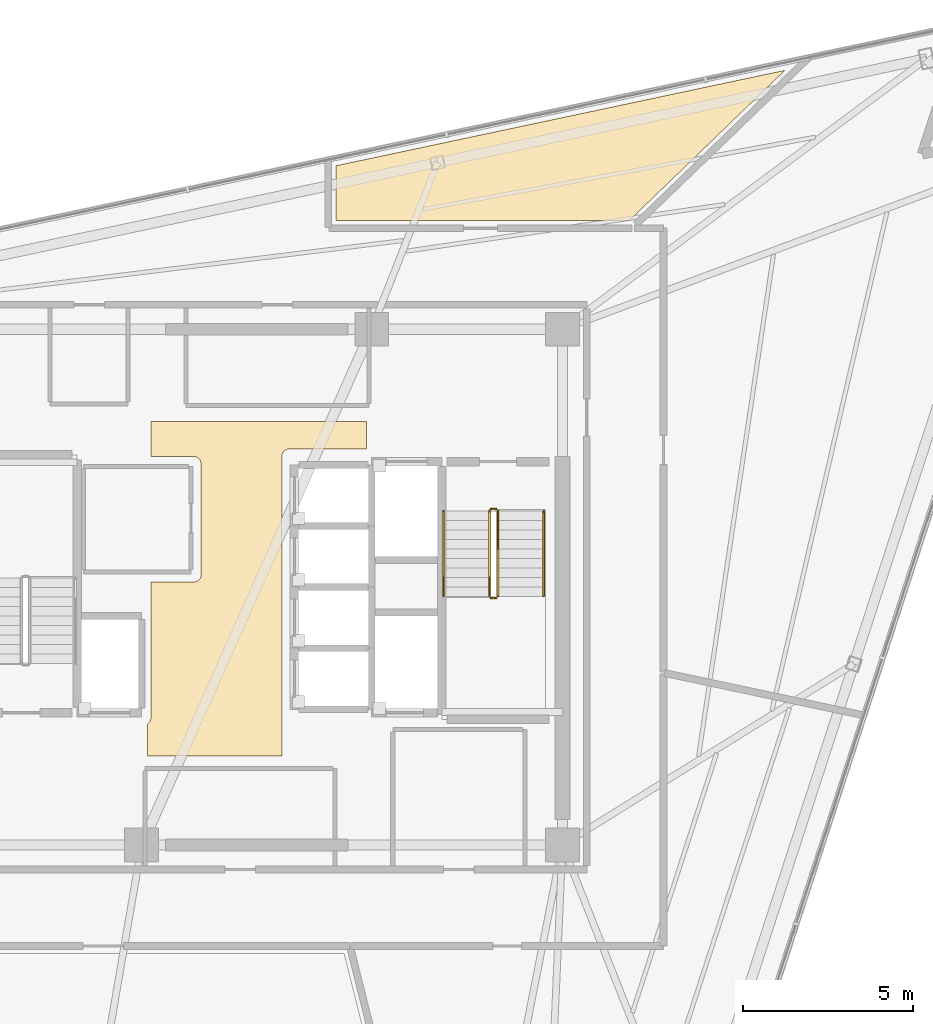
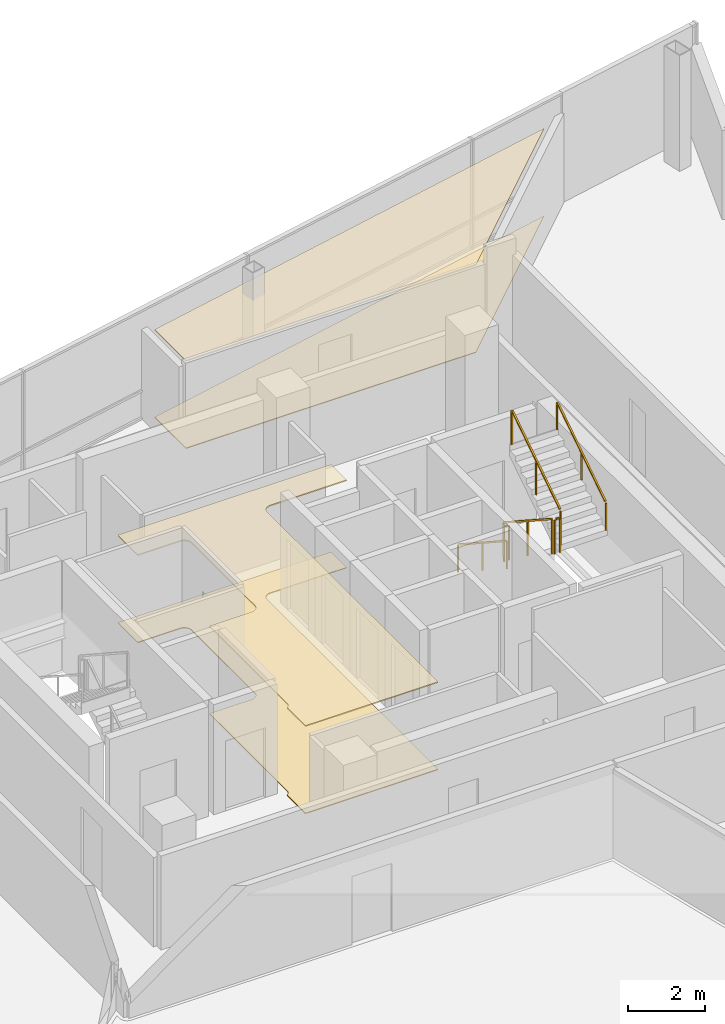
# One storey, part 15 of 15: 6 railings, 4 coverings.
"""IFC4 building model written with IfcOpenShell, lengths in metres."""

from ifc_helpers import new_model, si_unit, direction, frame, origin, origin_2d, place, context, subcontext, project, spatial, polyline, rectangle, outline, extrude, material, layer, layer_set, type_object, element, save


model = new_model("IFC4")

# Units and contexts
model_context = context("Model", 3, precision=1e-05, world=origin(), true_north=direction((0.0, 1.0)))
body_context = subcontext(model_context, "Body", "Model", "MODEL_VIEW")
ifc_project = project(units=[si_unit("LENGTHUNIT", "METRE"), si_unit("AREAUNIT", "SQUARE_METRE"), si_unit("VOLUMEUNIT", "CUBIC_METRE"), si_unit("PLANEANGLEUNIT", "RADIAN"), si_unit("MASSUNIT", "GRAM", prefix="KILO")], contexts=[model_context])

# Site, building, storey
site_placement = place(None, origin())
site = spatial("IfcSite", under=ifc_project, at=site_placement, CompositionType="ELEMENT")
building_placement = place(site_placement, origin())
building = spatial("IfcBuilding", under=site, at=building_placement, Name="Tharavind Bronze Gate", CompositionType="ELEMENT")
storey_placement = place(building_placement, frame((0.0, 0.0, 290.699951171875)))
storey = spatial("IfcBuildingStorey", under=building, at=storey_placement, Name="L75", CompositionType="ELEMENT", Elevation=290.699951171875)

# Coverings
ifc_material_1 = material(Name="Perforated Bronze Acoustic Panel", Category="bronze")
ifc_layer_1 = layer(ifc_material_1, 0.044921875)
ifc_layer_set_1 = layer_set([ifc_layer_1], Name="Perforated Bronze Acoustic Panel")
covering_type_1 = type_object("IfcCoveringType", Name="ACOUSTIC BRONZE BAFFLE CEILING", PredefinedType="CEILING", material=ifc_layer_set_1)
covering_1_placement = place(storey_placement, frame((0.0, 0.0, 2.75)))
element("IfcCovering", 1, at=covering_1_placement, inside=storey, type_object=covering_type_1, Name="L75-C-LL suspended ceiling", PredefinedType="CEILING", context=body_context, shape_type="SweptSolid", body=[
    extrude(outline(polyline([(-3.330078125, -4.97998046875), (0.6298828125, -4.97998046875), (0.6298828125, 3.85009765625), (0.631103515625, 3.87158203125), (0.63427734375, 3.892822265625), (0.639404296875, 3.913818359375), (0.646728515625, 3.93408203125), (0.656005859375, 3.95361328125), (0.6669921875, 3.97216796875), (0.679931640625, 3.989501953125), (0.6943359375, 4.005615234375), (0.71044921875, 4.02001953125), (0.727783203125, 4.032958984375), (0.746337890625, 4.0439453125), (0.765869140625, 4.05322265625), (0.7861328125, 4.060546875), (0.80712890625, 4.06591796875), (0.828369140625, 4.06884765625), (0.85009765625, 4.070068359375), (3.1298828125, 4.070068359375), (3.1298828125, 4.8798828125), (-3.22998046875, 4.8798828125), (-3.22998046875, 3.85009765625), (-1.969970703125, 3.85009765625), (-1.948486328125, 3.848876953125), (-1.927001953125, 3.845703125), (-1.906005859375, 3.840576171875), (-1.8857421875, 3.833251953125), (-1.8662109375, 3.823974609375), (-1.847900390625, 3.81298828125), (-1.830322265625, 3.800048828125), (-1.814453125, 3.78564453125), (-1.7998046875, 3.76953125), (-1.787109375, 3.752197265625), (-1.77587890625, 3.733642578125), (-1.7666015625, 3.714111328125), (-1.759521484375, 3.69384765625), (-1.754150390625, 3.6728515625), (-1.751220703125, 3.651611328125), (-1.75, 3.6298828125), (-1.75, 0.3701171875), (-1.751220703125, 0.348388671875), (-1.754150390625, 0.3271484375), (-1.759521484375, 0.30615234375), (-1.7666015625, 0.285888671875), (-1.77587890625, 0.266357421875), (-1.787109375, 0.247802734375), (-1.7998046875, 0.23046875), (-1.814453125, 0.21435546875), (-1.830322265625, 0.199951171875), (-1.847900390625, 0.18701171875), (-1.8662109375, 0.176025390625), (-1.8857421875, 0.166748046875), (-1.906005859375, 0.159423828125), (-1.927001953125, 0.154296875), (-1.948486328125, 0.151123046875), (-1.969970703125, 0.14990234375), (-3.22998046875, 0.14990234375), (-3.22998046875, -3.85009765625), (-3.231201171875, -3.87158203125), (-3.234130859375, -3.892822265625), (-3.239501953125, -3.913818359375), (-3.24658203125, -3.93408203125), (-3.256103515625, -3.95361328125), (-3.26708984375, -3.97216796875), (-3.27978515625, -3.989501953125), (-3.29443359375, -4.005615234375), (-3.310302734375, -4.02001953125), (-3.327880859375, -4.032958984375), (-3.330078125, -4.0341796875), (-3.330078125, -4.97998046875)])), origin(), (0.0, 0.0, 1.0), 0.03515625),
])
ifc_material_2 = material(Name="Engineered Oak & Carpet Tile", Category="wood")
ifc_layer_2 = layer(ifc_material_2, 0.02490234375)
ifc_layer_set_2 = layer_set([ifc_layer_2], Name="Engineered Oak & Carpet Tile")
covering_type_2 = type_object("IfcCoveringType", Name="ENGINEERED TIMBER FLOORING", PredefinedType="FLOORING", material=ifc_layer_set_2)
covering_2_placement = place(storey_placement, origin())
element("IfcCovering", 2, at=covering_2_placement, inside=storey, type_object=covering_type_2, Name="L75-RM-01 floor finish", PredefinedType="FLOORING", context=body_context, shape_type="SweptSolid", body=[
    extrude(outline(polyline([(10.866943359375, 10.800048828125), (15.455810546875, 15.231201171875), (2.219970703125, 12.41796875), (2.219970703125, 10.800048828125), (10.866943359375, 10.800048828125)])), origin(), (0.0, 0.0, 1.0), 0.025146484375),
])
ifc_material_3 = material(Name="Acoustic Gypsum Board", Category="gypsum")
ifc_layer_3 = layer(ifc_material_3, 0.030029296875)
ifc_layer_set_3 = layer_set([ifc_layer_3], Name="Acoustic Gypsum Board")
covering_type_3 = type_object("IfcCoveringType", Name="GYPSUM SUSPENDED CEILING", PredefinedType="CEILING", material=ifc_layer_set_3)
covering_3_placement = place(storey_placement, frame((0.0, 0.0, 2.75)))
element("IfcCovering", 3, at=covering_3_placement, inside=storey, type_object=covering_type_3, Name="L75-RM-01 suspended ceiling", PredefinedType="CEILING", context=body_context, shape_type="SweptSolid", body=[
    extrude(outline(polyline([(10.866943359375, 10.800048828125), (15.455810546875, 15.231201171875), (2.219970703125, 12.41796875), (2.219970703125, 10.800048828125), (10.866943359375, 10.800048828125)])), origin(), (0.0, 0.0, 1.0), 0.03515625),
])
ifc_material_4 = material(Name="Honed Travertine Limestone", Category="masonry")
ifc_layer_4 = layer(ifc_material_4, 0.030029296875)
ifc_layer_set_4 = layer_set([ifc_layer_4], Name="Honed Travertine Limestone")
covering_type_4 = type_object("IfcCoveringType", Name="HONED LIMESTONE FLOORING", PredefinedType="FLOORING", material=ifc_layer_set_4)
covering_4_placement = place(storey_placement, origin())
element("IfcCovering", 4, at=covering_4_placement, inside=storey, type_object=covering_type_4, Name="L75-C-LL floor finish", PredefinedType="FLOORING", context=body_context, shape_type="SweptSolid", body=[
    extrude(outline(polyline([(-3.330078125, -4.97998046875), (0.6298828125, -4.97998046875), (0.6298828125, 3.85009765625), (0.631103515625, 3.87158203125), (0.63427734375, 3.892822265625), (0.639404296875, 3.913818359375), (0.646728515625, 3.93408203125), (0.656005859375, 3.95361328125), (0.6669921875, 3.97216796875), (0.679931640625, 3.989501953125), (0.6943359375, 4.005615234375), (0.71044921875, 4.02001953125), (0.727783203125, 4.032958984375), (0.746337890625, 4.0439453125), (0.765869140625, 4.05322265625), (0.7861328125, 4.060546875), (0.80712890625, 4.06591796875), (0.828369140625, 4.06884765625), (0.85009765625, 4.070068359375), (3.1298828125, 4.070068359375), (3.1298828125, 4.8798828125), (-3.22998046875, 4.8798828125), (-3.22998046875, 3.85009765625), (-1.969970703125, 3.85009765625), (-1.948486328125, 3.848876953125), (-1.927001953125, 3.845703125), (-1.906005859375, 3.840576171875), (-1.8857421875, 3.833251953125), (-1.8662109375, 3.823974609375), (-1.847900390625, 3.81298828125), (-1.830322265625, 3.800048828125), (-1.814453125, 3.78564453125), (-1.7998046875, 3.76953125), (-1.787109375, 3.752197265625), (-1.77587890625, 3.733642578125), (-1.7666015625, 3.714111328125), (-1.759521484375, 3.69384765625), (-1.754150390625, 3.6728515625), (-1.751220703125, 3.651611328125), (-1.75, 3.6298828125), (-1.75, 0.3701171875), (-1.751220703125, 0.348388671875), (-1.754150390625, 0.3271484375), (-1.759521484375, 0.30615234375), (-1.7666015625, 0.285888671875), (-1.77587890625, 0.266357421875), (-1.787109375, 0.247802734375), (-1.7998046875, 0.23046875), (-1.814453125, 0.21435546875), (-1.830322265625, 0.199951171875), (-1.847900390625, 0.18701171875), (-1.8662109375, 0.176025390625), (-1.8857421875, 0.166748046875), (-1.906005859375, 0.159423828125), (-1.927001953125, 0.154296875), (-1.948486328125, 0.151123046875), (-1.969970703125, 0.14990234375), (-3.22998046875, 0.14990234375), (-3.22998046875, -3.85009765625), (-3.231201171875, -3.87158203125), (-3.234130859375, -3.892822265625), (-3.239501953125, -3.913818359375), (-3.24658203125, -3.93408203125), (-3.256103515625, -3.95361328125), (-3.26708984375, -3.97216796875), (-3.27978515625, -3.989501953125), (-3.29443359375, -4.005615234375), (-3.310302734375, -4.02001953125), (-3.327880859375, -4.032958984375), (-3.330078125, -4.0341796875), (-3.330078125, -4.97998046875)])), origin(), (0.0, 0.0, 1.0), 0.025146484375),
])

# Railings
ifc_material_5 = material(Name="Brushed Bronze Alloy", Category="metal")
railing_type_1 = type_object("IfcRailingType", Name="STAIR BRONZE HANDRAIL 900", PredefinedType="HANDRAIL", material=ifc_material_5)
railing_1_placement = place(storey_placement, frame((5.39990234375, 2.25, 0.1826171875)))
element("IfcRailing", 5, at=railing_1_placement, inside=storey, type_object=railing_type_1, Name="L75 ST2 stair handrail 1", PredefinedType="HANDRAIL", context=body_context, shape_type="SweptSolid", body=[
    extrude(rectangle(XDim=0.048095703125, YDim=0.048095703125, at=origin_2d()), frame((0.0, -0.02685546875, 0.893310546875), z_axis=(0.0, -0.837786554691, 0.545997883492), x_axis=(1.0, 0.0, 0.0)), (0.0, 0.0, 1.0), 2.94384765625),
    extrude(rectangle(XDim=0.0400390625, YDim=0.0400390625, at=origin_2d()), origin(), (0.0, 0.0, 1.0), 0.847900390625),
    extrude(rectangle(XDim=0.0400390625, YDim=0.0400390625, at=origin_2d()), frame((0.0, -1.260009765625, 0.8212890625)), (0.0, 0.0, 1.0), 0.847900390625),
    extrude(rectangle(XDim=0.0400390625, YDim=0.0400390625, at=origin_2d()), frame((0.0, -2.52001953125, 1.642333984375)), (0.0, 0.0, 1.0), 0.847900390625),
])
railing_2_placement = place(storey_placement, frame((8.35009765625, -0.27001953125, 2.007568359375)))
element("IfcRailing", 6, at=railing_2_placement, inside=storey, type_object=railing_type_1, Name="L75 ST2 stair handrail 2", PredefinedType="HANDRAIL", context=body_context, shape_type="SweptSolid", body=[
    extrude(rectangle(XDim=0.048095703125, YDim=0.048095703125, at=origin_2d()), frame((0.0, 0.02685546875, 0.893310546875), z_axis=(0.0, 0.837749427056, 0.546054848405), x_axis=(-1.0, 0.0, 0.0)), (0.0, 0.0, 1.0), 2.944091796875),
    extrude(rectangle(XDim=0.0400390625, YDim=0.0400390625, at=origin_2d()), origin(), (0.0, 0.0, 1.0), 0.847900390625),
    extrude(rectangle(XDim=0.0400390625, YDim=0.0400390625, at=origin_2d()), frame((0.0, 1.260009765625, 0.8212890625)), (0.0, 0.0, 1.0), 0.847900390625),
    extrude(rectangle(XDim=0.0400390625, YDim=0.0400390625, at=origin_2d()), frame((0.0, 2.52001953125, 1.642578125)), (0.0, 0.0, 1.0), 0.847900390625),
])
railing_type_2 = type_object("IfcRailingType", Name="STAIR WELL GUARD RAILING 1120", PredefinedType="GUARDRAIL", material=ifc_material_5)
railing_3_placement = place(storey_placement, frame((6.75, 2.25, 0.1826171875)))
element("IfcRailing", 7, at=railing_3_placement, inside=storey, type_object=railing_type_2, Name="L75 ST2 stair guard 1", PredefinedType="GUARDRAIL", context=body_context, shape_type="SweptSolid", body=[
    extrude(rectangle(XDim=0.048095703125, YDim=0.048095703125, at=origin_2d()), frame((0.0, -0.02685546875, 1.113525390625), z_axis=(0.0, -0.837786554691, 0.545997883492), x_axis=(1.0, 0.0, 0.0)), (0.0, 0.0, 1.0), 2.94384765625),
    extrude(rectangle(XDim=0.0400390625, YDim=0.0400390625, at=origin_2d()), origin(), (0.0, 0.0, 1.0), 1.068115234375),
    extrude(rectangle(XDim=0.0400390625, YDim=0.0400390625, at=origin_2d()), frame((0.0, -1.260009765625, 0.8212890625)), (0.0, 0.0, 1.0), 1.068115234375),
    extrude(rectangle(XDim=0.0400390625, YDim=0.0400390625, at=origin_2d()), frame((0.0, -2.52001953125, 1.642333984375)), (0.0, 0.0, 1.0), 1.068115234375),
])
railing_4_placement = place(storey_placement, frame((6.800048828125, -0.320068359375, 1.824951171875)))
element("IfcRailing", 8, at=railing_4_placement, inside=storey, type_object=railing_type_2, Name="L75 ST2 stair guard 2", PredefinedType="GUARDRAIL", context=body_context, shape_type="SweptSolid", body=[
    extrude(rectangle(XDim=0.048095703125, YDim=0.048095703125, at=origin_2d()), frame((0.031982421875, 0.0, 1.09619140625), z_axis=(1.0, 0.0, 0.0), x_axis=(0.0, 1.0, 0.0)), (0.0, 0.0, 1.0), 0.0859375),
    extrude(rectangle(XDim=0.0400390625, YDim=0.0400390625, at=origin_2d()), origin(), (0.0, 0.0, 1.0), 1.068115234375),
    extrude(rectangle(XDim=0.0400390625, YDim=0.0400390625, at=origin_2d()), frame((0.14990234375, 0.0, 0.0)), (0.0, 0.0, 1.0), 1.068115234375),
])
railing_5_placement = place(storey_placement, frame((7.0, -0.27001953125, 2.007568359375)))
element("IfcRailing", 9, at=railing_5_placement, inside=storey, type_object=railing_type_2, Name="L75 ST2 stair guard 3", PredefinedType="GUARDRAIL", context=body_context, shape_type="SweptSolid", body=[
    extrude(rectangle(XDim=0.048095703125, YDim=0.048095703125, at=origin_2d()), frame((0.0, 0.02685546875, 1.113525390625), z_axis=(0.0, 0.837749427056, 0.546054848405), x_axis=(-1.0, 0.0, 0.0)), (0.0, 0.0, 1.0), 2.944091796875),
    extrude(rectangle(XDim=0.0400390625, YDim=0.0400390625, at=origin_2d()), origin(), (0.0, 0.0, 1.0), 1.068115234375),
    extrude(rectangle(XDim=0.0400390625, YDim=0.0400390625, at=origin_2d()), frame((0.0, 1.260009765625, 0.8212890625)), (0.0, 0.0, 1.0), 1.068115234375),
    extrude(rectangle(XDim=0.0400390625, YDim=0.0400390625, at=origin_2d()), frame((0.0, 2.52001953125, 1.642578125)), (0.0, 0.0, 1.0), 1.068115234375),
])
railing_6_placement = place(storey_placement, frame((6.800048828125, 2.300048828125, 0.0)))
element("IfcRailing", 10, at=railing_6_placement, inside=storey, type_object=railing_type_2, Name="L75 ST2 stair guard 4", PredefinedType="GUARDRAIL", context=body_context, shape_type="SweptSolid", body=[
    extrude(rectangle(XDim=0.048095703125, YDim=0.048095703125, at=origin_2d()), frame((0.031982421875, 0.0, 1.09619140625), z_axis=(1.0, 0.0, 0.0), x_axis=(0.0, 1.0, 0.0)), (0.0, 0.0, 1.0), 0.0859375),
    extrude(rectangle(XDim=0.0400390625, YDim=0.0400390625, at=origin_2d()), origin(), (0.0, 0.0, 1.0), 1.068115234375),
    extrude(rectangle(XDim=0.0400390625, YDim=0.0400390625, at=origin_2d()), frame((0.14990234375, 0.0, 0.0)), (0.0, 0.0, 1.0), 1.068115234375),
])

save(model, "model.ifc")
